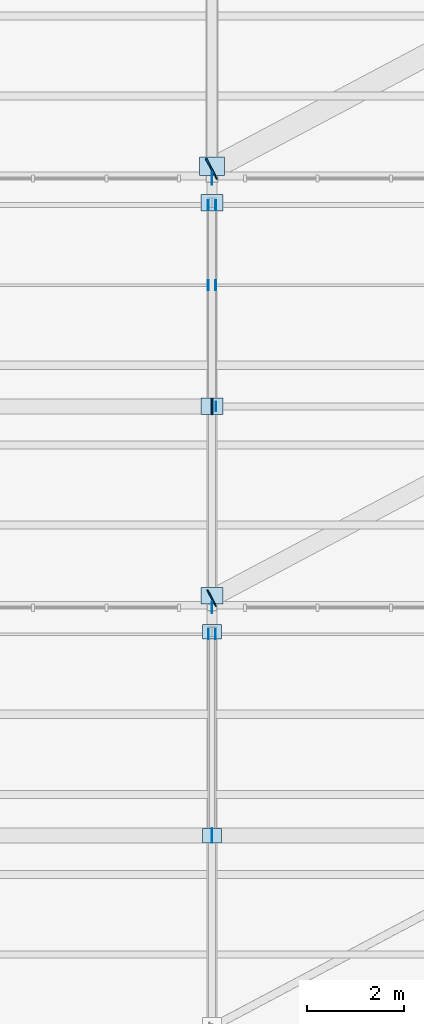
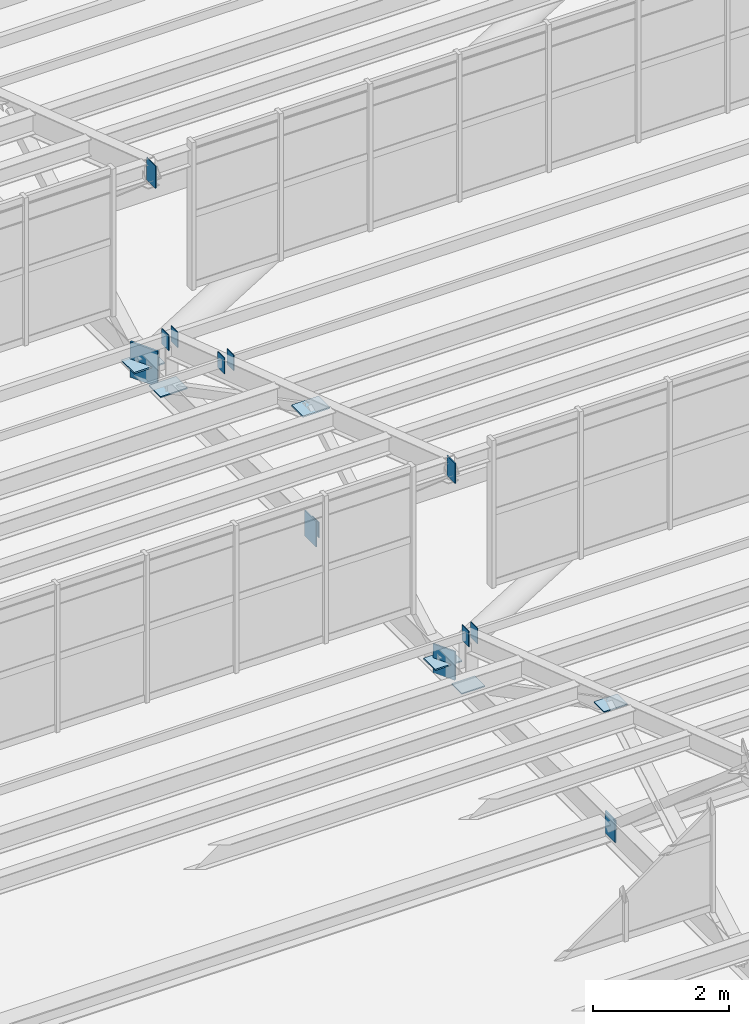
# One storey, part 219 of 285: 19 plates.
"""IFC4 building model written with IfcOpenShell, lengths in metres."""

from ifc_helpers import new_model, si_unit, direction, frame, origin, origin_2d, place, context, subcontext, project, spatial, rectangle, extrude, material, layer, layer_set, type_object, element, save


model = new_model("IFC4")

# Units and contexts
model_context = context("Model", 3, precision=1e-05, world=origin(), true_north=direction((0.0, 1.0)))
body_context = subcontext(model_context, "Body", "Model", "MODEL_VIEW")
ifc_project = project(units=[si_unit("LENGTHUNIT", "METRE"), si_unit("AREAUNIT", "SQUARE_METRE"), si_unit("VOLUMEUNIT", "CUBIC_METRE"), si_unit("PLANEANGLEUNIT", "RADIAN"), si_unit("MASSUNIT", "GRAM", prefix="KILO")], contexts=[model_context])

# Site, building, storey
site_placement = place(None, origin())
site = spatial("IfcSite", under=ifc_project, at=site_placement, CompositionType="ELEMENT")
building_placement = place(site_placement, origin())
building = spatial("IfcBuilding", under=site, at=building_placement, Name="Solanera Park Tramway Depot", CompositionType="ELEMENT")
storey_placement = place(building_placement, origin())
storey = spatial("IfcBuildingStorey", under=building, at=storey_placement, Name="L00", CompositionType="ELEMENT", Elevation=0.0)

# Plates
ifc_material_1 = material(Name="Steel AS/NZS 3679.1 Grade 350", Category="steel")
ifc_layer_1 = layer(ifc_material_1, 0.013916015625)
ifc_layer_set_1 = layer_set([ifc_layer_1], Name="Steel AS/NZS 3679.1 Grade 350")
plate_type_1 = type_object("IfcPlateType", Name="Hollow End Cap and Base Plate 280x200x14", PredefinedType="USERDEFINED", material=ifc_layer_set_1)
for number, where, z_axis, x_axis, name in (
    (1, (89.92529296875, 99.449951171875, 7.30615234375), (0.0, 0.0, 1.0), (1.0, 0.0, 0.0), "Hollow Section Welded End Cap Plate #0492"),
    (2, (90.07470703125, 99.449951171875, 7.30615234375), (0.0, 0.0, 1.0), (1.0, 0.0, 0.0), "Hollow Section Welded End Cap Plate #0493"),
    (3, (89.922119140625, 106.64990234375, 7.8583984375), (0.0, 0.0, 1.0), (1.0, 0.0, 0.0), "Hollow Section Welded End Cap Plate #0583"),
    (4, (90.077880859375, 106.64990234375, 7.8583984375), (0.0, 0.0, 1.0), (1.0, 0.0, 0.0), "Hollow Section Welded End Cap Plate #0584"),
    (5, (89.922119140625, 108.300048828125, 7.27294921875), (0.0, 0.0, 1.0), (1.0, 0.0, 0.0), "Hollow Section Welded End Cap Plate #0603"),
    (6, (90.077880859375, 108.300048828125, 7.27294921875), (0.0, 0.0, 1.0), (1.0, 0.0, 0.0), "Hollow Section Welded End Cap Plate #0604"),
    (7, (90.0849609375, 104.14990234375, 6.35986328125), (0.0, 0.0, 1.0), (1.0, 0.0, 0.0), "Hollow Section Welded End Cap Plate #0620"),
):
    element("IfcPlate", number, at=place(storey_placement, frame(where, z_axis=z_axis, x_axis=x_axis)), inside=storey, type_object=plate_type_1, Name=name, ObjectType="BASE PLATE", PredefinedType="USERDEFINED", context=body_context, shape_type="SweptSolid", body=[
        extrude(rectangle(XDim=0.013916015625, YDim=0.199951171875, at=origin_2d()), origin(), (0.0, 0.0, 1.0), 0.280029296875),
    ])
ifc_material_2 = material(Name="Steel AS/NZS 3679.1 Grade 350", Category="steel")
ifc_layer_2 = layer(ifc_material_2, 0.02001953125)
ifc_layer_set_2 = layer_set([ifc_layer_2], Name="Steel AS/NZS 3679.1 Grade 350")
plate_type_2 = type_object("IfcPlateType", Name="Hollow End Cap and Base Plate 400x300x20", PredefinedType="USERDEFINED", material=ifc_layer_set_2)
plate_1_placement = place(storey_placement, frame((90.0, 95.300048828125, 6.300048828125), z_axis=(0.0, 0.0, 1.0), x_axis=(1.0, 0.0, 0.0)))
element("IfcPlate", 8, at=plate_1_placement, inside=storey, type_object=plate_type_2, Name="Sawtooth Truss Hollow End Cap #0457", ObjectType="BASE PLATE", PredefinedType="USERDEFINED", context=body_context, shape_type="SweptSolid", body=[
    extrude(rectangle(XDim=0.02001953125, YDim=0.300048828125, at=origin_2d()), origin(), (0.0, 0.0, 1.0), 0.39990234375),
])
for number, where, z_axis, x_axis, name in (
    (9, (90.0, 99.5, 6.489990234375), (0.0, 0.0, 1.0), (1.0, 0.0, 0.0), "Sawtooth Truss Node Cap Plate #0458"),
    (10, (90.0, 95.300048828125, 8.70849609375), (0.0, 0.0, 1.0), (1.0, 0.0, 0.0), "Sawtooth Truss Node Cap Plate #0459"),
):
    element("IfcPlate", number, at=place(storey_placement, frame(where, z_axis=z_axis, x_axis=x_axis)), inside=storey, type_object=plate_type_2, Name=name, ObjectType="BASE PLATE", PredefinedType="USERDEFINED", context=body_context, shape_type="SweptSolid", body=[
        extrude(rectangle(XDim=0.39990234375, YDim=0.300048828125, at=origin_2d()), origin(), (0.0, 0.0, 1.0), 0.02001953125),
    ])
ifc_material_3 = material(Name="Steel AS/NZS 3679.1 Grade 350", Category="steel")
ifc_layer_3 = layer(ifc_material_3, 0.02197265625)
ifc_layer_set_3 = layer_set([ifc_layer_3], Name="Steel AS/NZS 3679.1 Grade 350")
plate_type_3 = type_object("IfcPlateType", Name="Hollow End Cap and Base Plate 460x340x22", PredefinedType="USERDEFINED", material=ifc_layer_set_3)
plate_2_placement = place(storey_placement, frame((90.0, 104.14990234375, 6.27001953125), z_axis=(0.0, 0.0, 1.0), x_axis=(1.0, 0.0, 0.0)))
element("IfcPlate", 11, at=plate_2_placement, inside=storey, type_object=plate_type_3, Name="Sawtooth Truss Hollow End Cap #0548", ObjectType="BASE PLATE", PredefinedType="USERDEFINED", context=body_context, shape_type="SweptSolid", body=[
    extrude(rectangle(XDim=0.02197265625, YDim=0.340087890625, at=origin_2d()), origin(), (0.0, 0.0, 1.0), 0.4599609375),
])
for number, where, z_axis, x_axis, name in (
    (12, (90.0, 108.35009765625, 6.489013671875), (0.0, 0.0, 1.0), (1.0, 0.0, 0.0), "Sawtooth Truss Node Cap Plate #0549"),
    (13, (90.0, 104.14990234375, 8.68212890625), (0.0, 0.0, 1.0), (1.0, 0.0, 0.0), "Sawtooth Truss Node Cap Plate #0550"),
    (14, (90.0, 100.25, 6.489013671875), (0.0, 0.0, 1.0), (1.0, 0.0, 0.0), "Sawtooth Truss Node Cap Plate #0551"),
):
    element("IfcPlate", number, at=place(storey_placement, frame(where, z_axis=z_axis, x_axis=x_axis)), inside=storey, type_object=plate_type_3, Name=name, ObjectType="BASE PLATE", PredefinedType="USERDEFINED", context=body_context, shape_type="SweptSolid", body=[
        extrude(rectangle(XDim=0.4599609375, YDim=0.340087890625, at=origin_2d()), origin(), (0.0, 0.0, 1.0), 0.02197265625),
    ])
ifc_material_4 = material(Name="Steel AS/NZS 3679.1 Grade 350", Category="steel")
ifc_layer_4 = layer(ifc_material_4, 0.02490234375)
ifc_layer_set_4 = layer_set([ifc_layer_4], Name="Steel AS/NZS 3679.1 Grade 350")
plate_type_4 = type_object("IfcPlateType", Name="Hollow End Cap and Base Plate 520x380x25", PredefinedType="USERDEFINED", material=ifc_layer_set_4)
plate_3_placement = place(storey_placement, frame((89.994384765625, 100.196044921875, 6.239990234375), z_axis=(0.0, 0.0, 1.0), x_axis=(0.883520501477, 0.468392488698, 0.0)))
element("IfcPlate", 15, at=plate_3_placement, inside=storey, type_object=plate_type_4, Name="Hollow Section Welded End Cap Plate #0622", ObjectType="BASE PLATE", PredefinedType="USERDEFINED", context=body_context, shape_type="SweptSolid", body=[
    extrude(rectangle(XDim=0.02490234375, YDim=0.3798828125, at=origin_2d()), origin(), (0.0, 0.0, 1.0), 0.52001953125),
])
plate_4_placement = place(storey_placement, frame((90.0, 109.10009765625, 6.487548828125), z_axis=(0.0, 0.0, 1.0), x_axis=(1.0, 0.0, 0.0)))
element("IfcPlate", 16, at=plate_4_placement, inside=storey, type_object=plate_type_4, Name="Sawtooth Truss Node Cap Plate #0662", ObjectType="BASE PLATE", PredefinedType="USERDEFINED", context=body_context, shape_type="SweptSolid", body=[
    extrude(rectangle(XDim=0.52001953125, YDim=0.3798828125, at=origin_2d()), origin(), (0.0, 0.0, 1.0), 0.02490234375),
])
ifc_material_5 = material(Name="Steel AS/NZS 3679.1 Grade 350", Category="steel")
ifc_layer_5 = layer(ifc_material_5, 0.031982421875)
ifc_layer_set_5 = layer_set([ifc_layer_5], Name="Steel AS/NZS 3679.1 Grade 350")
plate_type_5 = type_object("IfcPlateType", Name="Hollow End Cap and Base Plate 640x480x32", PredefinedType="USERDEFINED", material=ifc_layer_set_5)
plate_5_placement = place(storey_placement, frame((89.991455078125, 109.04443359375, 6.18017578125), z_axis=(0.0, 0.0, 1.0), x_axis=(0.883520501477, 0.468392488698, 0.0)))
element("IfcPlate", 17, at=plate_5_placement, inside=storey, type_object=plate_type_5, Name="Hollow Section Welded End Cap Plate #0753", ObjectType="BASE PLATE", PredefinedType="USERDEFINED", context=body_context, shape_type="SweptSolid", body=[
    extrude(rectangle(XDim=0.031982421875, YDim=0.47998046875, at=origin_2d()), origin(), (0.0, 0.0, 1.0), 0.639892578125),
])
ifc_material_6 = material(Name="Steel AS/NZS 3679.1 Grade 350", Category="steel")
ifc_layer_6 = layer(ifc_material_6, 0.013916015625)
ifc_layer_set_6 = layer_set([ifc_layer_6], Name="Steel AS/NZS 3679.1 Grade 350")
plate_type_6 = type_object("IfcPlateType", Name="Truss Node Gusset Stiffener 360x240x14", PredefinedType="SHEET", material=ifc_layer_set_6)
plate_6_placement = place(storey_placement, frame((90.0, 100.0, 9.9013671875), z_axis=(0.0, 0.0, 1.0), x_axis=(1.0, 0.0, 0.0)))
element("IfcPlate", 18, at=plate_6_placement, inside=storey, type_object=plate_type_6, Name="Sawtooth Truss Apex Gusset Plate #0547", PredefinedType="SHEET", context=body_context, shape_type="SweptSolid", body=[
    extrude(rectangle(XDim=0.013916015625, YDim=0.239990234375, at=origin_2d()), origin(), (0.0, 0.0, 1.0), 0.360107421875),
])
ifc_material_7 = material(Name="Steel AS/NZS 3679.1 Grade 350", Category="steel")
ifc_layer_7 = layer(ifc_material_7, 0.01611328125)
ifc_layer_set_7 = layer_set([ifc_layer_7], Name="Steel AS/NZS 3679.1 Grade 350")
plate_type_7 = type_object("IfcPlateType", Name="Truss Node Gusset Stiffener 400x260x16", PredefinedType="SHEET", material=ifc_layer_set_7)
plate_7_placement = place(storey_placement, frame((90.0, 108.85009765625, 9.856201171875), z_axis=(0.0, 0.0, 1.0), x_axis=(1.0, 0.0, 0.0)))
element("IfcPlate", 19, at=plate_7_placement, inside=storey, type_object=plate_type_7, Name="Sawtooth Truss Apex Gusset Plate #0658", PredefinedType="SHEET", context=body_context, shape_type="SweptSolid", body=[
    extrude(rectangle(XDim=0.01611328125, YDim=0.260009765625, at=origin_2d()), origin(), (0.0, 0.0, 1.0), 0.39990234375),
])

save(model, "model.ifc")
